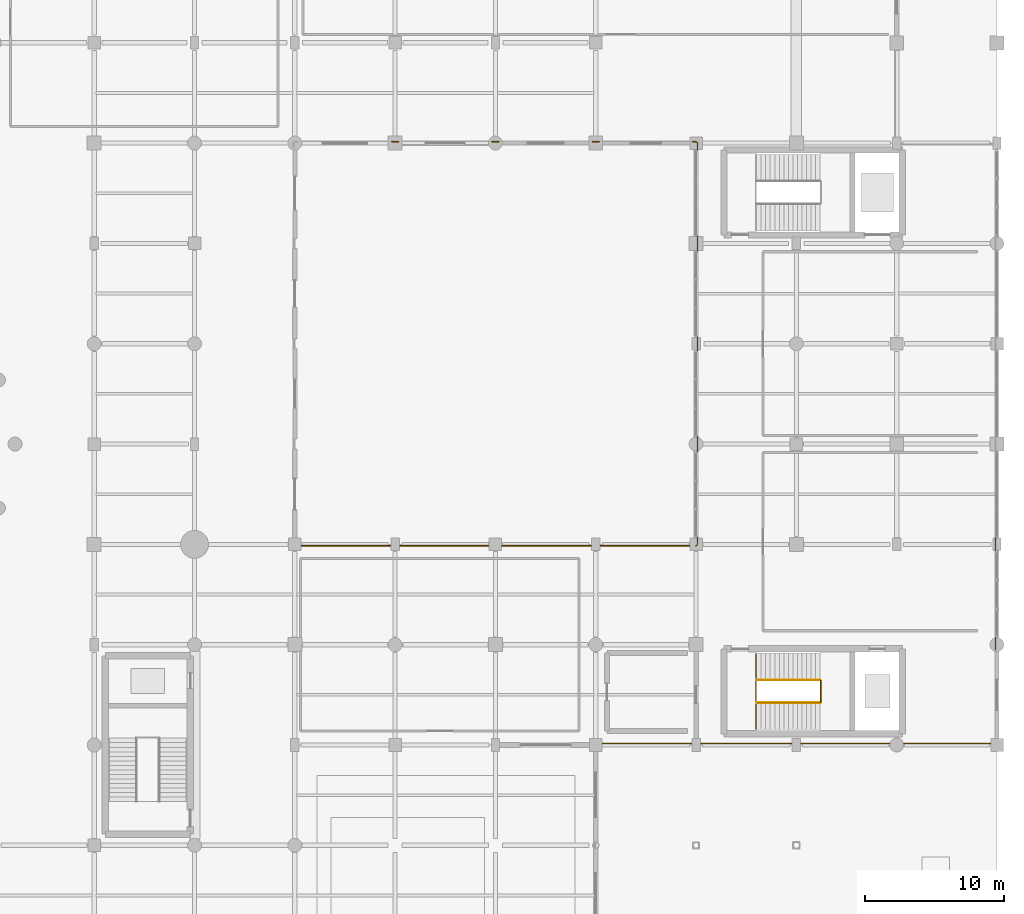
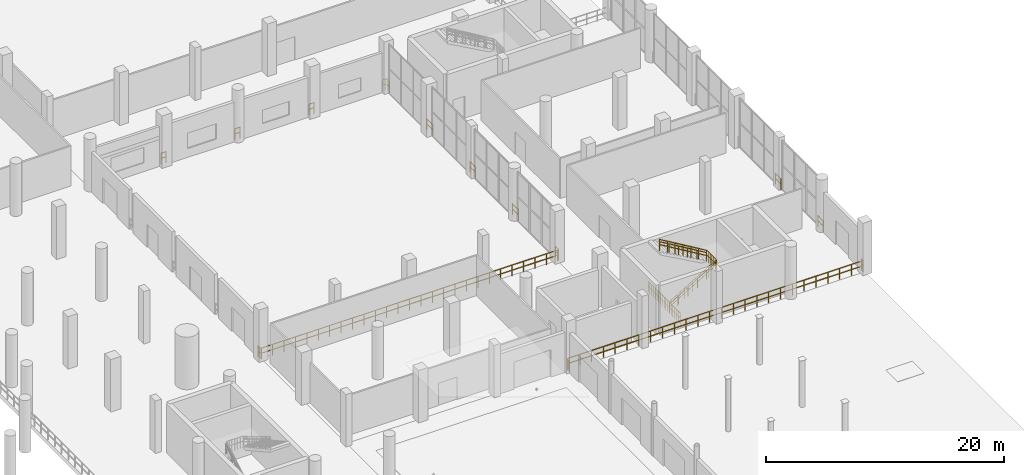
# One storey, part 54 of 58: 18 railings.
"""IFC4 building model written with IfcOpenShell, lengths in metres."""

import ifcopenshell
import ifcopenshell.guid

model = None  # the IFC model being written
_history = None  # IfcOwnerHistory: only IFC2X3 demands one
_inside = {}  # id of a spatial element -> (the spatial element, [elements in it])
_under = {}  # id of a project, library or spatial element -> (it, [spatial elements below it])
_declared = {}  # id of a project -> (the project, [libraries it declares])
_typed = {}  # id of a type object -> (the type object, [elements of that type])
_made_of = {}  # id of a material, layer set ... -> (it, [elements and type objects made of it])


def new_model(schema):
    """Start an empty IFC model of exactly this schema.

    Asked for "IFC4X3", IfcOpenShell would pick the latest addendum, in which some entities
    have other attributes; the version numbers below select the first issue.
    IFC2X3 requires an IfcOwnerHistory on every rooted entity: one is made here for all.
    """
    global model, _history
    if schema == "IFC4X3":
        model = ifcopenshell.file(schema_version=(4, 3, 0, 0))
    else:
        model = ifcopenshell.file(schema=schema)
    _inside.clear()
    _under.clear()
    _declared.clear()
    _typed.clear()
    _made_of.clear()
    _history = None
    if model.schema == "IFC2X3":
        org = make("IfcOrganization", Name="unknown")
        user = make(
            "IfcPersonAndOrganization",
            ThePerson=make("IfcPerson", FamilyName="unknown"),
            TheOrganization=org,
        )
        app = make(
            "IfcApplication",
            ApplicationDeveloper=org,
            Version="unknown",
            ApplicationFullName="unknown",
            ApplicationIdentifier="unknown",
        )
        _history = make(
            "IfcOwnerHistory",
            OwningUser=user,
            OwningApplication=app,
            ChangeAction="ADDED",
            CreationDate=0,
        )
    return model


def make(cls, **values):
    """One entity of the class cls with the attributes given. An attribute that is None is left unset."""
    return model.create_entity(
        cls, **{name: value for name, value in values.items() if value is not None}
    )


def rooted(cls, **values):
    """An entity with a GlobalId (a new one), such as an element, a storey or a relation."""
    return make(cls, GlobalId=ifcopenshell.guid.new(), OwnerHistory=_history, **values)


def si_unit(unit_type, name, prefix=None):
    """IfcSIUnit, for example si_unit("LENGTHUNIT", "METRE", prefix="MILLI")."""
    return make("IfcSIUnit", UnitType=unit_type, Prefix=prefix, Name=name)


def assignment(units):
    """IfcUnitAssignment: the units of a project."""
    return None if units is None else make("IfcUnitAssignment", Units=units)


def point(xyz):
    """IfcCartesianPoint."""
    return None if xyz is None else make("IfcCartesianPoint", Coordinates=xyz)


def direction(xyz):
    """IfcDirection."""
    return None if xyz is None else make("IfcDirection", DirectionRatios=xyz)


def frame(location, z_axis=None, x_axis=None):
    """IfcAxis2Placement3D, a coordinate frame: its origin and axes. An axis left out is left unset."""
    return make(
        "IfcAxis2Placement3D",
        Location=point(location),
        Axis=direction(z_axis),
        RefDirection=direction(x_axis),
    )


def frame_2d(location, x_axis=None):
    """IfcAxis2Placement2D, a coordinate frame in the plane: its origin and x axis."""
    return make(
        "IfcAxis2Placement2D", Location=point(location), RefDirection=direction(x_axis)
    )


def origin():
    """The frame at (0, 0, 0) with its axes left unset."""
    return frame((0.0, 0.0, 0.0))


def origin_2d():
    """The frame at (0, 0) in the plane with its x axis left unset."""
    return frame_2d((0.0, 0.0))


def place(relative_to, where):
    """IfcLocalPlacement: puts the frame where relative to a parent placement (None: the world)."""
    return make(
        "IfcLocalPlacement", PlacementRelTo=relative_to, RelativePlacement=where
    )


def context(
    kind, dimensions, precision=None, world=None, true_north=None, identifier=None
):
    """IfcGeometricRepresentationContext, for example the 3D "Model" context."""
    return make(
        "IfcGeometricRepresentationContext",
        ContextIdentifier=identifier,
        ContextType=kind,
        CoordinateSpaceDimension=dimensions,
        Precision=precision,
        WorldCoordinateSystem=world,
        TrueNorth=true_north,
    )


def subcontext(parent, identifier, kind, view, scale=None):
    """IfcGeometricRepresentationSubContext, for example "Body" below "Model"."""
    return make(
        "IfcGeometricRepresentationSubContext",
        ContextIdentifier=identifier,
        ContextType=kind,
        ParentContext=parent,
        TargetScale=scale,
        TargetView=view,
    )


def project(units=None, contexts=None):
    """IfcProject with its units and contexts."""
    return rooted(
        "IfcProject",
        Name="project",
        RepresentationContexts=contexts,
        UnitsInContext=assignment(units),
    )


def spatial(cls, under=None, at=None, **own):
    """A site, building, storey or space (cls), placed at a placement, below another one or the project."""
    s = rooted(cls, ObjectPlacement=at, **own)
    if under is not None:
        _under.setdefault(under.id(), (under, []))[1].append(s)
    return s


def profile(cls, at=None, kind="AREA", **sizes):
    """A parametric profile (cls). Its sizes go by their IFC names, for example OverallWidth=200.0."""
    return make(cls, ProfileType=kind, Position=at, **sizes)


def circle(**sizes):
    """IfcCircleProfileDef."""
    return profile("IfcCircleProfileDef", **sizes)


def extrude(swept, where, along, depth):
    """IfcExtrudedAreaSolid: the profile swept, set in the frame where, extruded along a direction by depth."""
    return make(
        "IfcExtrudedAreaSolid",
        SweptArea=swept,
        Position=where,
        ExtrudedDirection=direction(along),
        Depth=depth,
    )


def shape(context_of_items, identifier, shape_type, items):
    """IfcShapeRepresentation: the items that make up one representation, for example the "Body"."""
    return make(
        "IfcShapeRepresentation",
        ContextOfItems=context_of_items,
        RepresentationIdentifier=identifier,
        RepresentationType=shape_type,
        Items=items,
    )


def material(Name=None, Category=None):
    """IfcMaterial."""
    return make("IfcMaterial", Name=Name, Category=Category)


def made_of(thing, what):
    """Note that an element or type object is made of a material, layer set ...; save() writes the relation."""
    if what is not None:
        _made_of.setdefault(what.id(), (what, []))[1].append(thing)
    return thing


def type_object(cls, material=None, **own):
    """A type object (cls), such as IfcWallType, which elements share."""
    return made_of(rooted(cls, **own), material)


def element(
    cls,
    number,
    at=None,
    inside=None,
    cuts=None,
    type_object=None,
    material=None,
    context=None,
    identifier="Body",
    shape_type=None,
    held_by="IfcProductDefinitionShape",
    body=None,
    shapes=None,
    **own,
):
    """One element of the class cls, such as IfcWall. Its Tag is "e" and its number.

    at: its placement. inside: the storey or other place that contains it. cuts: it is an
    opening in that element (IfcRelVoidsElement). A single representation is given by context,
    identifier, shape_type and body (its items); several are given by shapes. held_by: the class
    of the entity that holds the representations. save() writes the other relations.
    """
    e = rooted(cls, Tag="e%d" % number, ObjectPlacement=at, **own)
    if body is not None:
        shapes = [shape(context, identifier, shape_type, body)]
    if shapes is not None:
        e.Representation = make(held_by, Representations=shapes)
    if inside is not None:
        _inside.setdefault(inside.id(), (inside, []))[1].append(e)
    if cuts is not None:
        rooted(
            "IfcRelVoidsElement", RelatingBuildingElement=cuts, RelatedOpeningElement=e
        )
    if type_object is not None:
        _typed.setdefault(type_object.id(), (type_object, []))[1].append(e)
    return made_of(e, material)


def aggregate(whole, parts):
    """IfcRelAggregates: a whole, such as a stair, and the parts it consists of."""
    return rooted("IfcRelAggregates", RelatingObject=whole, RelatedObjects=parts)


def save(model, path):
    """Write the relations noted so far, then the file.

    IfcRelAggregates (storeys below a building ...), IfcRelContainedInSpatialStructure (elements
    in a storey), IfcRelDefinesByType, IfcRelAssociatesMaterial and IfcRelDeclares: one each for
    every whole, place, type object, material and project.
    """
    for whole, parts in _under.values():
        aggregate(whole, parts)
    for where, things in _inside.values():
        rooted(
            "IfcRelContainedInSpatialStructure",
            RelatedElements=things,
            RelatingStructure=where,
        )
    for kind, things in _typed.values():
        rooted("IfcRelDefinesByType", RelatedObjects=things, RelatingType=kind)
    for what, things in _made_of.values():
        rooted("IfcRelAssociatesMaterial", RelatedObjects=things, RelatingMaterial=what)
    for by, libraries in _declared.values():
        rooted("IfcRelDeclares", RelatingContext=by, RelatedDefinitions=libraries)
    model.write(path)


model = new_model("IFC4")

# Units and contexts
model_context = context("Model", 3, precision=1e-05, world=origin(), true_north=direction((0.0, 1.0)))
body_context = subcontext(model_context, "Body", "Model", "MODEL_VIEW")
ifc_project = project(units=[si_unit("LENGTHUNIT", "METRE"), si_unit("AREAUNIT", "SQUARE_METRE"), si_unit("VOLUMEUNIT", "CUBIC_METRE"), si_unit("PLANEANGLEUNIT", "RADIAN"), si_unit("MASSUNIT", "GRAM", prefix="KILO")], contexts=[model_context])

# Site, building, storey
site_placement = place(None, origin())
site = spatial("IfcSite", under=ifc_project, at=site_placement, CompositionType="ELEMENT")
building_placement = place(site_placement, origin())
building = spatial("IfcBuilding", under=site, at=building_placement, Name="Qandorah Velis Arena", CompositionType="ELEMENT")
storey_placement = place(building_placement, origin())
storey = spatial("IfcBuildingStorey", under=building, at=storey_placement, Name="L00", CompositionType="ELEMENT", Elevation=0.0)

# Railings
ifc_material = material(Name="Stainless steel 316", Category="steel")
railing_type_1 = type_object("IfcRailingType", Name="ARC-RL-GRD1150", PredefinedType="GUARDRAIL", material=ifc_material)
railing_1_placement = place(storey_placement, frame((155.510009765625, 44.360107421875, 0.0)))
element("IfcRailing", 1, at=railing_1_placement, inside=storey, type_object=railing_type_1, Name="Stair ST7 landing well-slot guardrail L00", PredefinedType="GUARDRAIL", context=body_context, shape_type="SweptSolid", body=[
    extrude(circle(Radius=0.02392578125, at=origin_2d()), frame((0.0, 0.0, 1.1259765625), z_axis=(0.0, 1.0, 0.0), x_axis=(-1.0, 0.0, 0.0)), (0.0, 0.0, 1.0), 5.3798828125),
    extrude(circle(Radius=0.02392578125, at=origin_2d()), frame((0.0, 0.0, 0.597900390625), z_axis=(0.0, 1.0, 0.0), x_axis=(-1.0, 0.0, 0.0)), (0.0, 0.0, 1.0), 5.3798828125),
    extrude(circle(Radius=0.02099609375, at=origin_2d()), origin(), (0.0, 0.0, 1.0), 1.101806640625),
    extrude(circle(Radius=0.02099609375, at=origin_2d()), frame((0.0, 0.298828125, 0.0)), (0.0, 0.0, 1.0), 1.101806640625),
    extrude(circle(Radius=0.02099609375, at=origin_2d()), frame((0.0, 0.59765625, 0.0)), (0.0, 0.0, 1.0), 1.101806640625),
    extrude(circle(Radius=0.02099609375, at=origin_2d()), frame((0.0, 0.896728515625, 0.0)), (0.0, 0.0, 1.0), 1.101806640625),
    extrude(circle(Radius=0.02099609375, at=origin_2d()), frame((0.0, 1.195556640625, 0.0)), (0.0, 0.0, 1.0), 1.101806640625),
    extrude(circle(Radius=0.02099609375, at=origin_2d()), frame((0.0, 1.494384765625, 0.0)), (0.0, 0.0, 1.0), 1.101806640625),
    extrude(circle(Radius=0.02099609375, at=origin_2d()), frame((0.0, 1.793212890625, 0.0)), (0.0, 0.0, 1.0), 1.101806640625),
    extrude(circle(Radius=0.02099609375, at=origin_2d()), frame((0.0, 2.09228515625, 0.0)), (0.0, 0.0, 1.0), 1.101806640625),
    extrude(circle(Radius=0.02099609375, at=origin_2d()), frame((0.0, 2.39111328125, 0.0)), (0.0, 0.0, 1.0), 1.101806640625),
    extrude(circle(Radius=0.02099609375, at=origin_2d()), frame((0.0, 2.68994140625, 0.0)), (0.0, 0.0, 1.0), 1.101806640625),
    extrude(circle(Radius=0.02099609375, at=origin_2d()), frame((0.0, 2.98876953125, 0.0)), (0.0, 0.0, 1.0), 1.101806640625),
    extrude(circle(Radius=0.02099609375, at=origin_2d()), frame((0.0, 3.28759765625, 0.0)), (0.0, 0.0, 1.0), 1.101806640625),
    extrude(circle(Radius=0.02099609375, at=origin_2d()), frame((0.0, 3.586669921875, 0.0)), (0.0, 0.0, 1.0), 1.101806640625),
    extrude(circle(Radius=0.02099609375, at=origin_2d()), frame((0.0, 3.885498046875, 0.0)), (0.0, 0.0, 1.0), 1.101806640625),
    extrude(circle(Radius=0.02099609375, at=origin_2d()), frame((0.0, 4.184326171875, 0.0)), (0.0, 0.0, 1.0), 1.101806640625),
    extrude(circle(Radius=0.02099609375, at=origin_2d()), frame((0.0, 4.483154296875, 0.0)), (0.0, 0.0, 1.0), 1.101806640625),
    extrude(circle(Radius=0.02099609375, at=origin_2d()), frame((0.0, 4.7822265625, 0.0)), (0.0, 0.0, 1.0), 1.101806640625),
    extrude(circle(Radius=0.02099609375, at=origin_2d()), frame((0.0, 5.0810546875, 0.0)), (0.0, 0.0, 1.0), 1.101806640625),
    extrude(circle(Radius=0.02099609375, at=origin_2d()), frame((0.0, 5.3798828125, 0.0)), (0.0, 0.0, 1.0), 1.101806640625),
])
railing_2_placement = place(storey_placement, frame((160.14599609375, 46.239990234375, 2.699951171875)))
element("IfcRailing", 2, at=railing_2_placement, inside=storey, type_object=railing_type_1, Name="Stair ST7 well guardrail (L00)", PredefinedType="GUARDRAIL", context=body_context, shape_type="SweptSolid", body=[
    extrude(circle(Radius=0.02392578125, at=origin_2d()), frame((0.0, 0.0, 1.1259765625), z_axis=(0.0, 1.0, 0.0), x_axis=(-1.0, 0.0, 0.0)), (0.0, 0.0, 1.0), 1.6201171875),
    extrude(circle(Radius=0.02392578125, at=origin_2d()), frame((0.0, 0.0, 0.597900390625), z_axis=(0.0, 1.0, 0.0), x_axis=(-1.0, 0.0, 0.0)), (0.0, 0.0, 1.0), 1.6201171875),
    extrude(circle(Radius=0.02099609375, at=origin_2d()), origin(), (0.0, 0.0, 1.0), 1.101806640625),
    extrude(circle(Radius=0.02099609375, at=origin_2d()), frame((0.0, 0.27001953125, 0.0)), (0.0, 0.0, 1.0), 1.101806640625),
    extrude(circle(Radius=0.02099609375, at=origin_2d()), frame((0.0, 0.5400390625, 0.0)), (0.0, 0.0, 1.0), 1.101806640625),
    extrude(circle(Radius=0.02099609375, at=origin_2d()), frame((0.0, 0.81005859375, 0.0)), (0.0, 0.0, 1.0), 1.101806640625),
    extrude(circle(Radius=0.02099609375, at=origin_2d()), frame((0.0, 1.080078125, 0.0)), (0.0, 0.0, 1.0), 1.101806640625),
    extrude(circle(Radius=0.02099609375, at=origin_2d()), frame((0.0, 1.35009765625, 0.0)), (0.0, 0.0, 1.0), 1.101806640625),
    extrude(circle(Radius=0.02099609375, at=origin_2d()), frame((0.0, 1.6201171875, 0.0)), (0.0, 0.0, 1.0), 1.101806640625),
])
railing_3_placement = place(storey_placement, frame((155.550048828125, 46.22998046875, 0.0)))
element("IfcRailing", 3, at=railing_3_placement, inside=storey, type_object=railing_type_1, Name="Stair ST7 inner flight 1 guardrail (L00)", PredefinedType="GUARDRAIL", context=body_context, shape_type="SweptSolid", body=[
    extrude(circle(Radius=0.02392578125, at=origin_2d()), frame((0.0, 0.0, 1.1259765625), z_axis=(0.859291432417, 0.0, 0.511486299107), x_axis=(0.0, 1.0, 0.0)), (0.0, 0.0, 1.0), 5.278564453125),
    extrude(circle(Radius=0.02392578125, at=origin_2d()), frame((0.0, 0.0, 0.597900390625), z_axis=(0.859291432417, 0.0, 0.511486299107), x_axis=(0.0, 1.0, 0.0)), (0.0, 0.0, 1.0), 5.278564453125),
    extrude(circle(Radius=0.02099609375, at=origin_2d()), origin(), (0.0, 0.0, 1.0), 1.101806640625),
    extrude(circle(Radius=0.02099609375, at=origin_2d()), frame((0.755859375, 0.0, 0.449951171875)), (0.0, 0.0, 1.0), 1.101806640625),
    extrude(circle(Radius=0.02099609375, at=origin_2d()), frame((1.511962890625, 0.0, 0.89990234375)), (0.0, 0.0, 1.0), 1.101806640625),
    extrude(circle(Radius=0.02099609375, at=origin_2d()), frame((2.26806640625, 0.0, 1.35009765625)), (0.0, 0.0, 1.0), 1.101806640625),
    extrude(circle(Radius=0.02099609375, at=origin_2d()), frame((3.02392578125, 0.0, 1.800048828125)), (0.0, 0.0, 1.0), 1.101806640625),
    extrude(circle(Radius=0.02099609375, at=origin_2d()), frame((3.77978515625, 0.0, 2.25)), (0.0, 0.0, 1.0), 1.101806640625),
    extrude(circle(Radius=0.02099609375, at=origin_2d()), frame((4.535888671875, 0.0, 2.699951171875)), (0.0, 0.0, 1.0), 1.101806640625),
])
railing_4_placement = place(storey_placement, frame((160.0859375, 47.8701171875, 2.699951171875)))
element("IfcRailing", 4, at=railing_4_placement, inside=storey, type_object=railing_type_1, Name="Stair ST7 inner flight 2 guardrail (L00)", PredefinedType="GUARDRAIL", context=body_context, shape_type="SweptSolid", body=[
    extrude(circle(Radius=0.02392578125, at=origin_2d()), frame((0.0, 0.0, 1.1259765625), z_axis=(-0.859291432417, 0.0, 0.511486299107), x_axis=(0.0, -1.0, 0.0)), (0.0, 0.0, 1.0), 5.278564453125),
    extrude(circle(Radius=0.02392578125, at=origin_2d()), frame((0.0, 0.0, 0.597900390625), z_axis=(-0.859291432417, 0.0, 0.511486299107), x_axis=(0.0, -1.0, 0.0)), (0.0, 0.0, 1.0), 5.278564453125),
    extrude(circle(Radius=0.02099609375, at=origin_2d()), origin(), (0.0, 0.0, 1.0), 1.101806640625),
    extrude(circle(Radius=0.02099609375, at=origin_2d()), frame((-0.755859375, 0.0, 0.449951171875)), (0.0, 0.0, 1.0), 1.101806640625),
    extrude(circle(Radius=0.02099609375, at=origin_2d()), frame((-1.511962890625, 0.0, 0.89990234375)), (0.0, 0.0, 1.0), 1.101806640625),
    extrude(circle(Radius=0.02099609375, at=origin_2d()), frame((-2.26806640625, 0.0, 1.35009765625)), (0.0, 0.0, 1.0), 1.101806640625),
    extrude(circle(Radius=0.02099609375, at=origin_2d()), frame((-3.02392578125, 0.0, 1.800048828125)), (0.0, 0.0, 1.0), 1.101806640625),
    extrude(circle(Radius=0.02099609375, at=origin_2d()), frame((-3.77978515625, 0.0, 2.25)), (0.0, 0.0, 1.0), 1.101806640625),
    extrude(circle(Radius=0.02099609375, at=origin_2d()), frame((-4.535888671875, 0.0, 2.699951171875)), (0.0, 0.0, 1.0), 1.101806640625),
])
railing_5_placement = place(storey_placement, frame((172.699951171875, 58.074951171875, 0.0)))
element("IfcRailing", 5, at=railing_5_placement, inside=storey, type_object=railing_type_1, Name="Slab edge safety guardrail L00-058", PredefinedType="GUARDRAIL", context=body_context, shape_type="SweptSolid", body=[
    extrude(circle(Radius=0.02392578125, at=origin_2d()), frame((0.0, 0.0, 1.1259765625), z_axis=(0.0, -1.0, 0.0), x_axis=(1.0, 0.0, 0.0)), (0.0, 0.0, 1.0), 0.949951171875),
    extrude(circle(Radius=0.02392578125, at=origin_2d()), frame((0.0, 0.0, 0.597900390625), z_axis=(0.0, -1.0, 0.0), x_axis=(1.0, 0.0, 0.0)), (0.0, 0.0, 1.0), 0.949951171875),
    extrude(circle(Radius=0.02099609375, at=origin_2d()), origin(), (0.0, 0.0, 1.0), 1.101806640625),
    extrude(circle(Radius=0.02099609375, at=origin_2d()), frame((0.0, -0.949951171875, 0.0)), (0.0, 0.0, 1.0), 1.101806640625),
])
railing_6_placement = place(storey_placement, frame((172.699951171875, 50.925048828125, 0.0)))
element("IfcRailing", 6, at=railing_6_placement, inside=storey, type_object=railing_type_1, Name="Slab edge safety guardrail L00-059", PredefinedType="GUARDRAIL", context=body_context, shape_type="SweptSolid", body=[
    extrude(circle(Radius=0.02392578125, at=origin_2d()), frame((0.0, 0.0, 1.1259765625), z_axis=(0.0, -1.0, 0.0), x_axis=(1.0, 0.0, 0.0)), (0.0, 0.0, 1.0), 0.875),
    extrude(circle(Radius=0.02392578125, at=origin_2d()), frame((0.0, 0.0, 0.597900390625), z_axis=(0.0, -1.0, 0.0), x_axis=(1.0, 0.0, 0.0)), (0.0, 0.0, 1.0), 0.875),
    extrude(circle(Radius=0.02099609375, at=origin_2d()), origin(), (0.0, 0.0, 1.0), 1.101806640625),
    extrude(circle(Radius=0.02099609375, at=origin_2d()), frame((0.0, -0.875, 0.0)), (0.0, 0.0, 1.0), 1.101806640625),
])
railing_7_placement = place(storey_placement, frame((172.699951171875, 43.550048828125, 0.0)))
element("IfcRailing", 7, at=railing_7_placement, inside=storey, type_object=railing_type_1, Name="Slab edge safety guardrail L00-060", PredefinedType="GUARDRAIL", context=body_context, shape_type="SweptSolid", body=[
    extrude(circle(Radius=0.02392578125, at=origin_2d()), frame((0.0, 0.0, 1.1259765625), z_axis=(0.0, -1.0, 0.0), x_axis=(1.0, 0.0, 0.0)), (0.0, 0.0, 1.0), 0.25),
    extrude(circle(Radius=0.02392578125, at=origin_2d()), frame((0.0, 0.0, 0.597900390625), z_axis=(0.0, -1.0, 0.0), x_axis=(1.0, 0.0, 0.0)), (0.0, 0.0, 1.0), 0.25),
    extrude(circle(Radius=0.02392578125, at=origin_2d()), frame((0.0, -0.25, 1.1259765625), z_axis=(-1.0, 0.0, 0.0), x_axis=(0.0, -1.0, 0.0)), (0.0, 0.0, 1.0), 28.699951171875),
    extrude(circle(Radius=0.02392578125, at=origin_2d()), frame((0.0, -0.25, 0.597900390625), z_axis=(-1.0, 0.0, 0.0), x_axis=(0.0, -1.0, 0.0)), (0.0, 0.0, 1.0), 28.699951171875),
    extrude(circle(Radius=0.02392578125, at=origin_2d()), frame((-28.699951171875, -0.25, 1.1259765625), z_axis=(-0.772928297309, -0.634493378388, 0.0), x_axis=(0.634493378388, -0.772928297309, 0.0)), (0.0, 0.0, 1.0), 0.126953125),
    extrude(circle(Radius=0.02392578125, at=origin_2d()), frame((-28.699951171875, -0.25, 0.597900390625), z_axis=(-0.772928297309, -0.634493378388, 0.0), x_axis=(0.634493378388, -0.772928297309, 0.0)), (0.0, 0.0, 1.0), 0.126953125),
    extrude(circle(Radius=0.02392578125, at=origin_2d()), frame((-28.798095703125, -0.33056640625, 1.1259765625), z_axis=(-0.008154672784, -0.999966750103, 0.0), x_axis=(0.999966750103, -0.008154672784, 0.0)), (0.0, 0.0, 1.0), 0.239501953125),
    extrude(circle(Radius=0.02392578125, at=origin_2d()), frame((-28.798095703125, -0.33056640625, 0.597900390625), z_axis=(-0.008154672784, -0.999966750103, 0.0), x_axis=(0.999966750103, -0.008154672784, 0.0)), (0.0, 0.0, 1.0), 0.239501953125),
    extrude(circle(Radius=0.02099609375, at=origin_2d()), origin(), (0.0, 0.0, 1.0), 1.101806640625),
    extrude(circle(Radius=0.02099609375, at=origin_2d()), frame((0.0, -0.25, 0.0)), (0.0, 0.0, 1.0), 1.101806640625),
    extrude(circle(Radius=0.02099609375, at=origin_2d()), frame((-1.14794921875, -0.25, 0.0)), (0.0, 0.0, 1.0), 1.101806640625),
    extrude(circle(Radius=0.02099609375, at=origin_2d()), frame((-2.2958984375, -0.25, 0.0)), (0.0, 0.0, 1.0), 1.101806640625),
    extrude(circle(Radius=0.02099609375, at=origin_2d()), frame((-3.444091796875, -0.25, 0.0)), (0.0, 0.0, 1.0), 1.101806640625),
    extrude(circle(Radius=0.02099609375, at=origin_2d()), frame((-4.592041015625, -0.25, 0.0)), (0.0, 0.0, 1.0), 1.101806640625),
    extrude(circle(Radius=0.02099609375, at=origin_2d()), frame((-5.739990234375, -0.25, 0.0)), (0.0, 0.0, 1.0), 1.101806640625),
    extrude(circle(Radius=0.02099609375, at=origin_2d()), frame((-6.887939453125, -0.25, 0.0)), (0.0, 0.0, 1.0), 1.101806640625),
    extrude(circle(Radius=0.02099609375, at=origin_2d()), frame((-8.035888671875, -0.25, 0.0)), (0.0, 0.0, 1.0), 1.101806640625),
    extrude(circle(Radius=0.02099609375, at=origin_2d()), frame((-9.18408203125, -0.25, 0.0)), (0.0, 0.0, 1.0), 1.101806640625),
    extrude(circle(Radius=0.02099609375, at=origin_2d()), frame((-10.33203125, -0.25, 0.0)), (0.0, 0.0, 1.0), 1.101806640625),
    extrude(circle(Radius=0.02099609375, at=origin_2d()), frame((-11.47998046875, -0.25, 0.0)), (0.0, 0.0, 1.0), 1.101806640625),
    extrude(circle(Radius=0.02099609375, at=origin_2d()), frame((-12.6279296875, -0.25, 0.0)), (0.0, 0.0, 1.0), 1.101806640625),
    extrude(circle(Radius=0.02099609375, at=origin_2d()), frame((-13.77587890625, -0.25, 0.0)), (0.0, 0.0, 1.0), 1.101806640625),
    extrude(circle(Radius=0.02099609375, at=origin_2d()), frame((-14.924072265625, -0.25, 0.0)), (0.0, 0.0, 1.0), 1.101806640625),
    extrude(circle(Radius=0.02099609375, at=origin_2d()), frame((-16.072021484375, -0.25, 0.0)), (0.0, 0.0, 1.0), 1.101806640625),
    extrude(circle(Radius=0.02099609375, at=origin_2d()), frame((-17.219970703125, -0.25, 0.0)), (0.0, 0.0, 1.0), 1.101806640625),
    extrude(circle(Radius=0.02099609375, at=origin_2d()), frame((-18.367919921875, -0.25, 0.0)), (0.0, 0.0, 1.0), 1.101806640625),
    extrude(circle(Radius=0.02099609375, at=origin_2d()), frame((-19.515869140625, -0.25, 0.0)), (0.0, 0.0, 1.0), 1.101806640625),
    extrude(circle(Radius=0.02099609375, at=origin_2d()), frame((-20.6640625, -0.25, 0.0)), (0.0, 0.0, 1.0), 1.101806640625),
    extrude(circle(Radius=0.02099609375, at=origin_2d()), frame((-21.81201171875, -0.25, 0.0)), (0.0, 0.0, 1.0), 1.101806640625),
    extrude(circle(Radius=0.02099609375, at=origin_2d()), frame((-22.9599609375, -0.25, 0.0)), (0.0, 0.0, 1.0), 1.101806640625),
    extrude(circle(Radius=0.02099609375, at=origin_2d()), frame((-24.10791015625, -0.25, 0.0)), (0.0, 0.0, 1.0), 1.101806640625),
    extrude(circle(Radius=0.02099609375, at=origin_2d()), frame((-25.255859375, -0.25, 0.0)), (0.0, 0.0, 1.0), 1.101806640625),
    extrude(circle(Radius=0.02099609375, at=origin_2d()), frame((-26.404052734375, -0.25, 0.0)), (0.0, 0.0, 1.0), 1.101806640625),
    extrude(circle(Radius=0.02099609375, at=origin_2d()), frame((-27.552001953125, -0.25, 0.0)), (0.0, 0.0, 1.0), 1.101806640625),
    extrude(circle(Radius=0.02099609375, at=origin_2d()), frame((-28.699951171875, -0.25, 0.0)), (0.0, 0.0, 1.0), 1.101806640625),
    extrude(circle(Radius=0.02099609375, at=origin_2d()), frame((-28.798095703125, -0.33056640625, 0.0)), (0.0, 0.0, 1.0), 1.101806640625),
    extrude(circle(Radius=0.02099609375, at=origin_2d()), frame((-28.800048828125, -0.570068359375, 0.0)), (0.0, 0.0, 1.0), 1.101806640625),
])
railing_8_placement = place(storey_placement, frame((151.199951171875, 57.5, 0.0)))
element("IfcRailing", 8, at=railing_8_placement, inside=storey, type_object=railing_type_1, Name="Slab edge safety guardrail L00-069", PredefinedType="GUARDRAIL", context=body_context, shape_type="SweptSolid", body=[
    extrude(circle(Radius=0.02392578125, at=origin_2d()), frame((0.0, 0.0, 1.1259765625), z_axis=(0.772928297309, 0.634493378388, 0.0), x_axis=(-0.634493378388, 0.772928297309, 0.0)), (0.0, 0.0, 1.0), 0.126953125),
    extrude(circle(Radius=0.02392578125, at=origin_2d()), frame((0.0, 0.0, 0.597900390625), z_axis=(0.772928297309, 0.634493378388, 0.0), x_axis=(-0.634493378388, 0.772928297309, 0.0)), (0.0, 0.0, 1.0), 0.126953125),
    extrude(circle(Radius=0.02392578125, at=origin_2d()), frame((0.09814453125, 0.08056640625, 1.1259765625), z_axis=(0.003950586455, 0.999992196403, 0.0), x_axis=(-0.999992196403, 0.003950586455, 0.0)), (0.0, 0.0, 1.0), 0.494384765625),
    extrude(circle(Radius=0.02392578125, at=origin_2d()), frame((0.09814453125, 0.08056640625, 0.597900390625), z_axis=(0.003950586455, 0.999992196403, 0.0), x_axis=(-0.999992196403, 0.003950586455, 0.0)), (0.0, 0.0, 1.0), 0.494384765625),
    extrude(circle(Radius=0.02099609375, at=origin_2d()), origin(), (0.0, 0.0, 1.0), 1.101806640625),
    extrude(circle(Radius=0.02099609375, at=origin_2d()), frame((0.09814453125, 0.08056640625, 0.0)), (0.0, 0.0, 1.0), 1.101806640625),
    extrude(circle(Radius=0.02099609375, at=origin_2d()), frame((0.10009765625, 0.574951171875, 0.0)), (0.0, 0.0, 1.0), 1.101806640625),
])
railing_9_placement = place(storey_placement, frame((151.300048828125, 64.27490234375, 0.0)))
element("IfcRailing", 9, at=railing_9_placement, inside=storey, type_object=railing_type_1, Name="Slab edge safety guardrail L00-070", PredefinedType="GUARDRAIL", context=body_context, shape_type="SweptSolid", body=[
    extrude(circle(Radius=0.02392578125, at=origin_2d()), frame((0.0, 0.0, 1.1259765625), z_axis=(0.0, 1.0, 0.0), x_axis=(-1.0, 0.0, 0.0)), (0.0, 0.0, 1.0), 1.050048828125),
    extrude(circle(Radius=0.02392578125, at=origin_2d()), frame((0.0, 0.0, 0.597900390625), z_axis=(0.0, 1.0, 0.0), x_axis=(-1.0, 0.0, 0.0)), (0.0, 0.0, 1.0), 1.050048828125),
    extrude(circle(Radius=0.02099609375, at=origin_2d()), origin(), (0.0, 0.0, 1.0), 1.101806640625),
    extrude(circle(Radius=0.02099609375, at=origin_2d()), frame((0.0, 1.050048828125, 0.0)), (0.0, 0.0, 1.0), 1.101806640625),
])
railing_10_placement = place(storey_placement, frame((151.300048828125, 71.52490234375, 0.0)))
element("IfcRailing", 10, at=railing_10_placement, inside=storey, type_object=railing_type_1, Name="Slab edge safety guardrail L00-071", PredefinedType="GUARDRAIL", context=body_context, shape_type="SweptSolid", body=[
    extrude(circle(Radius=0.02392578125, at=origin_2d()), frame((0.0, 0.0, 1.1259765625), z_axis=(0.0, 1.0, 0.0), x_axis=(-1.0, 0.0, 0.0)), (0.0, 0.0, 1.0), 0.9501953125),
    extrude(circle(Radius=0.02392578125, at=origin_2d()), frame((0.0, 0.0, 0.597900390625), z_axis=(0.0, 1.0, 0.0), x_axis=(-1.0, 0.0, 0.0)), (0.0, 0.0, 1.0), 0.9501953125),
    extrude(circle(Radius=0.02099609375, at=origin_2d()), origin(), (0.0, 0.0, 1.0), 1.101806640625),
    extrude(circle(Radius=0.02099609375, at=origin_2d()), frame((0.0, 0.9501953125, 0.0)), (0.0, 0.0, 1.0), 1.101806640625),
])
railing_11_placement = place(storey_placement, frame((151.300048828125, 78.675048828125, 0.0)))
element("IfcRailing", 11, at=railing_11_placement, inside=storey, type_object=railing_type_1, Name="Slab edge safety guardrail L00-072", PredefinedType="GUARDRAIL", context=body_context, shape_type="SweptSolid", body=[
    extrude(circle(Radius=0.02392578125, at=origin_2d()), frame((0.0, 0.0, 1.1259765625), z_axis=(0.0, 1.0, 0.0), x_axis=(-1.0, 0.0, 0.0)), (0.0, 0.0, 1.0), 1.050048828125),
    extrude(circle(Radius=0.02392578125, at=origin_2d()), frame((0.0, 0.0, 0.597900390625), z_axis=(0.0, 1.0, 0.0), x_axis=(-1.0, 0.0, 0.0)), (0.0, 0.0, 1.0), 1.050048828125),
    extrude(circle(Radius=0.02099609375, at=origin_2d()), origin(), (0.0, 0.0, 1.0), 1.101806640625),
    extrude(circle(Radius=0.02099609375, at=origin_2d()), frame((0.0, 1.050048828125, 0.0)), (0.0, 0.0, 1.0), 1.101806640625),
])
railing_12_placement = place(storey_placement, frame((151.300048828125, 85.925048828125, 0.0)))
element("IfcRailing", 12, at=railing_12_placement, inside=storey, type_object=railing_type_1, Name="Slab edge safety guardrail L00-073", PredefinedType="GUARDRAIL", context=body_context, shape_type="SweptSolid", body=[
    extrude(circle(Radius=0.02392578125, at=origin_2d()), frame((0.0, 0.0, 1.1259765625), z_axis=(0.0, 1.0, 0.0), x_axis=(-1.0, 0.0, 0.0)), (0.0, 0.0, 1.0), 0.474853515625),
    extrude(circle(Radius=0.02392578125, at=origin_2d()), frame((0.0, 0.0, 0.597900390625), z_axis=(0.0, 1.0, 0.0), x_axis=(-1.0, 0.0, 0.0)), (0.0, 0.0, 1.0), 0.474853515625),
    extrude(circle(Radius=0.02392578125, at=origin_2d()), frame((0.0, 0.474853515625, 1.1259765625), z_axis=(-0.634493378388, 0.772928297309, 0.0), x_axis=(-0.772928297309, -0.634493378388, 0.0)), (0.0, 0.0, 1.0), 0.126953125),
    extrude(circle(Radius=0.02392578125, at=origin_2d()), frame((0.0, 0.474853515625, 0.597900390625), z_axis=(-0.634493378388, 0.772928297309, 0.0), x_axis=(-0.772928297309, -0.634493378388, 0.0)), (0.0, 0.0, 1.0), 0.126953125),
    extrude(circle(Radius=0.02392578125, at=origin_2d()), frame((-0.08056640625, 0.572998046875, 1.1259765625), z_axis=(-0.999973746045, 0.007246186566, 0.0), x_axis=(-0.007246186566, -0.999973746045, 0.0)), (0.0, 0.0, 1.0), 0.26953125),
    extrude(circle(Radius=0.02392578125, at=origin_2d()), frame((-0.08056640625, 0.572998046875, 0.597900390625), z_axis=(-0.999973746045, 0.007246186566, 0.0), x_axis=(-0.007246186566, -0.999973746045, 0.0)), (0.0, 0.0, 1.0), 0.26953125),
    extrude(circle(Radius=0.02099609375, at=origin_2d()), origin(), (0.0, 0.0, 1.0), 1.101806640625),
    extrude(circle(Radius=0.02099609375, at=origin_2d()), frame((0.0, 0.474853515625, 0.0)), (0.0, 0.0, 1.0), 1.101806640625),
    extrude(circle(Radius=0.02099609375, at=origin_2d()), frame((-0.08056640625, 0.572998046875, 0.0)), (0.0, 0.0, 1.0), 1.101806640625),
    extrude(circle(Radius=0.02099609375, at=origin_2d()), frame((-0.35009765625, 0.574951171875, 0.0)), (0.0, 0.0, 1.0), 1.101806640625),
])
for number, where, name in (
    (13, (144.25, 86.5, 0.0), "Slab edge safety guardrail L00-074"),
    (14, (137.050048828125, 86.5, 0.0), "Slab edge safety guardrail L00-075"),
    (15, (129.85009765625, 86.5, 0.0), "Slab edge safety guardrail L00-076"),
):
    element("IfcRailing", number, at=place(storey_placement, frame(where)), inside=storey, type_object=railing_type_1, Name=name, PredefinedType="GUARDRAIL", context=body_context, shape_type="SweptSolid", body=[
        extrude(circle(Radius=0.02392578125, at=origin_2d()), frame((0.0, 0.0, 1.1259765625), z_axis=(-1.0, 0.0, 0.0), x_axis=(0.0, -1.0, 0.0)), (0.0, 0.0, 1.0), 0.5),
        extrude(circle(Radius=0.02392578125, at=origin_2d()), frame((0.0, 0.0, 0.597900390625), z_axis=(-1.0, 0.0, 0.0), x_axis=(0.0, -1.0, 0.0)), (0.0, 0.0, 1.0), 0.5),
        extrude(circle(Radius=0.02099609375, at=origin_2d()), origin(), (0.0, 0.0, 1.0), 1.101806640625),
        extrude(circle(Radius=0.02099609375, at=origin_2d()), frame((-0.5, 0.0, 0.0)), (0.0, 0.0, 1.0), 1.101806640625),
    ])
railing_13_placement = place(storey_placement, frame((122.300048828125, 57.949951171875, 0.0)))
element("IfcRailing", 16, at=railing_13_placement, inside=storey, type_object=railing_type_1, Name="Slab edge safety guardrail L00-081", PredefinedType="GUARDRAIL", context=body_context, shape_type="SweptSolid", body=[
    extrude(circle(Radius=0.02392578125, at=origin_2d()), frame((0.0, 0.0, 1.1259765625), z_axis=(0.0, -1.0, 0.0), x_axis=(1.0, 0.0, 0.0)), (0.0, 0.0, 1.0), 0.349853515625),
    extrude(circle(Radius=0.02392578125, at=origin_2d()), frame((0.0, 0.0, 0.597900390625), z_axis=(0.0, -1.0, 0.0), x_axis=(1.0, 0.0, 0.0)), (0.0, 0.0, 1.0), 0.349853515625),
    extrude(circle(Radius=0.02392578125, at=origin_2d()), frame((0.0, -0.349853515625, 1.1259765625), z_axis=(0.634493378388, -0.772928297309, 0.0), x_axis=(0.772928297309, 0.634493378388, 0.0)), (0.0, 0.0, 1.0), 0.126953125),
    extrude(circle(Radius=0.02392578125, at=origin_2d()), frame((0.0, -0.349853515625, 0.597900390625), z_axis=(0.634493378388, -0.772928297309, 0.0), x_axis=(0.772928297309, 0.634493378388, 0.0)), (0.0, 0.0, 1.0), 0.126953125),
    extrude(circle(Radius=0.02392578125, at=origin_2d()), frame((0.08056640625, -0.447998046875, 1.1259765625), z_axis=(0.999999997704, -6.7771339e-05, 0.0), x_axis=(6.7771339e-05, 0.999999997704, 0.0)), (0.0, 0.0, 1.0), 28.8193359375),
    extrude(circle(Radius=0.02392578125, at=origin_2d()), frame((0.08056640625, -0.447998046875, 0.597900390625), z_axis=(0.999999997704, -6.7771339e-05, 0.0), x_axis=(6.7771339e-05, 0.999999997704, 0.0)), (0.0, 0.0, 1.0), 28.8193359375),
    extrude(circle(Radius=0.02099609375, at=origin_2d()), origin(), (0.0, 0.0, 1.0), 1.101806640625),
    extrude(circle(Radius=0.02099609375, at=origin_2d()), frame((0.0, -0.349853515625, 0.0)), (0.0, 0.0, 1.0), 1.101806640625),
    extrude(circle(Radius=0.02099609375, at=origin_2d()), frame((0.08056640625, -0.447998046875, 0.0)), (0.0, 0.0, 1.0), 1.101806640625),
    extrude(circle(Radius=0.02099609375, at=origin_2d()), frame((1.18896484375, -0.447998046875, 0.0)), (0.0, 0.0, 1.0), 1.101806640625),
    extrude(circle(Radius=0.02099609375, at=origin_2d()), frame((2.29736328125, -0.4482421875, 0.0)), (0.0, 0.0, 1.0), 1.101806640625),
    extrude(circle(Radius=0.02099609375, at=origin_2d()), frame((3.40576171875, -0.4482421875, 0.0)), (0.0, 0.0, 1.0), 1.101806640625),
    extrude(circle(Radius=0.02099609375, at=origin_2d()), frame((4.514404296875, -0.4482421875, 0.0)), (0.0, 0.0, 1.0), 1.101806640625),
    extrude(circle(Radius=0.02099609375, at=origin_2d()), frame((5.622802734375, -0.448486328125, 0.0)), (0.0, 0.0, 1.0), 1.101806640625),
    extrude(circle(Radius=0.02099609375, at=origin_2d()), frame((6.731201171875, -0.448486328125, 0.0)), (0.0, 0.0, 1.0), 1.101806640625),
    extrude(circle(Radius=0.02099609375, at=origin_2d()), frame((7.839599609375, -0.448486328125, 0.0)), (0.0, 0.0, 1.0), 1.101806640625),
    extrude(circle(Radius=0.02099609375, at=origin_2d()), frame((8.947998046875, -0.448486328125, 0.0)), (0.0, 0.0, 1.0), 1.101806640625),
    extrude(circle(Radius=0.02099609375, at=origin_2d()), frame((10.056396484375, -0.44873046875, 0.0)), (0.0, 0.0, 1.0), 1.101806640625),
    extrude(circle(Radius=0.02099609375, at=origin_2d()), frame((11.1650390625, -0.44873046875, 0.0)), (0.0, 0.0, 1.0), 1.101806640625),
    extrude(circle(Radius=0.02099609375, at=origin_2d()), frame((12.2734375, -0.44873046875, 0.0)), (0.0, 0.0, 1.0), 1.101806640625),
    extrude(circle(Radius=0.02099609375, at=origin_2d()), frame((13.3818359375, -0.448974609375, 0.0)), (0.0, 0.0, 1.0), 1.101806640625),
    extrude(circle(Radius=0.02099609375, at=origin_2d()), frame((14.490234375, -0.448974609375, 0.0)), (0.0, 0.0, 1.0), 1.101806640625),
    extrude(circle(Radius=0.02099609375, at=origin_2d()), frame((15.5986328125, -0.448974609375, 0.0)), (0.0, 0.0, 1.0), 1.101806640625),
    extrude(circle(Radius=0.02099609375, at=origin_2d()), frame((16.70703125, -0.44921875, 0.0)), (0.0, 0.0, 1.0), 1.101806640625),
    extrude(circle(Radius=0.02099609375, at=origin_2d()), frame((17.8154296875, -0.44921875, 0.0)), (0.0, 0.0, 1.0), 1.101806640625),
    extrude(circle(Radius=0.02099609375, at=origin_2d()), frame((18.924072265625, -0.44921875, 0.0)), (0.0, 0.0, 1.0), 1.101806640625),
    extrude(circle(Radius=0.02099609375, at=origin_2d()), frame((20.032470703125, -0.449462890625, 0.0)), (0.0, 0.0, 1.0), 1.101806640625),
    extrude(circle(Radius=0.02099609375, at=origin_2d()), frame((21.140869140625, -0.449462890625, 0.0)), (0.0, 0.0, 1.0), 1.101806640625),
    extrude(circle(Radius=0.02099609375, at=origin_2d()), frame((22.249267578125, -0.449462890625, 0.0)), (0.0, 0.0, 1.0), 1.101806640625),
    extrude(circle(Radius=0.02099609375, at=origin_2d()), frame((23.357666015625, -0.449462890625, 0.0)), (0.0, 0.0, 1.0), 1.101806640625),
    extrude(circle(Radius=0.02099609375, at=origin_2d()), frame((24.466064453125, -0.44970703125, 0.0)), (0.0, 0.0, 1.0), 1.101806640625),
    extrude(circle(Radius=0.02099609375, at=origin_2d()), frame((25.57470703125, -0.44970703125, 0.0)), (0.0, 0.0, 1.0), 1.101806640625),
    extrude(circle(Radius=0.02099609375, at=origin_2d()), frame((26.68310546875, -0.44970703125, 0.0)), (0.0, 0.0, 1.0), 1.101806640625),
    extrude(circle(Radius=0.02099609375, at=origin_2d()), frame((27.79150390625, -0.449951171875, 0.0)), (0.0, 0.0, 1.0), 1.101806640625),
    extrude(circle(Radius=0.02099609375, at=origin_2d()), frame((28.89990234375, -0.449951171875, 0.0)), (0.0, 0.0, 1.0), 1.101806640625),
])
railing_type_2 = type_object("IfcRailingType", Name="ARC-RL-HND920", PredefinedType="HANDRAIL", material=ifc_material)
railing_14_placement = place(storey_placement, frame((155.550048828125, 46.22998046875, 0.0)))
element("IfcRailing", 17, at=railing_14_placement, inside=storey, type_object=railing_type_2, Name="Stair ST7 inner handrail 1 (L00)", PredefinedType="HANDRAIL", context=body_context, shape_type="SweptSolid", body=[
    extrude(circle(Radius=0.02392578125, at=origin_2d()), frame((0.0, 0.0, 0.89599609375), z_axis=(0.859291432417, 0.0, 0.511486299107), x_axis=(0.0, 1.0, 0.0)), (0.0, 0.0, 1.0), 5.278564453125),
    extrude(circle(Radius=0.02099609375, at=origin_2d()), origin(), (0.0, 0.0, 1.0), 0.871826171875),
    extrude(circle(Radius=0.02099609375, at=origin_2d()), frame((0.9072265625, 0.0, 0.5400390625)), (0.0, 0.0, 1.0), 0.871826171875),
    extrude(circle(Radius=0.02099609375, at=origin_2d()), frame((1.814453125, 0.0, 1.080078125)), (0.0, 0.0, 1.0), 0.871826171875),
    extrude(circle(Radius=0.02099609375, at=origin_2d()), frame((2.721435546875, 0.0, 1.619873046875)), (0.0, 0.0, 1.0), 0.871826171875),
    extrude(circle(Radius=0.02099609375, at=origin_2d()), frame((3.628662109375, 0.0, 2.159912109375)), (0.0, 0.0, 1.0), 0.871826171875),
    extrude(circle(Radius=0.02099609375, at=origin_2d()), frame((4.535888671875, 0.0, 2.699951171875)), (0.0, 0.0, 1.0), 0.871826171875),
])
railing_15_placement = place(storey_placement, frame((160.0859375, 47.8701171875, 2.699951171875)))
element("IfcRailing", 18, at=railing_15_placement, inside=storey, type_object=railing_type_2, Name="Stair ST7 inner handrail 2 (L00)", PredefinedType="HANDRAIL", context=body_context, shape_type="SweptSolid", body=[
    extrude(circle(Radius=0.02392578125, at=origin_2d()), frame((0.0, 0.0, 0.89599609375), z_axis=(-0.859291432417, 0.0, 0.511486299107), x_axis=(0.0, -1.0, 0.0)), (0.0, 0.0, 1.0), 5.278564453125),
    extrude(circle(Radius=0.02099609375, at=origin_2d()), origin(), (0.0, 0.0, 1.0), 0.871826171875),
    extrude(circle(Radius=0.02099609375, at=origin_2d()), frame((-0.9072265625, 0.0, 0.5400390625)), (0.0, 0.0, 1.0), 0.871826171875),
    extrude(circle(Radius=0.02099609375, at=origin_2d()), frame((-1.814453125, 0.0, 1.080078125)), (0.0, 0.0, 1.0), 0.871826171875),
    extrude(circle(Radius=0.02099609375, at=origin_2d()), frame((-2.721435546875, 0.0, 1.619873046875)), (0.0, 0.0, 1.0), 0.871826171875),
    extrude(circle(Radius=0.02099609375, at=origin_2d()), frame((-3.628662109375, 0.0, 2.159912109375)), (0.0, 0.0, 1.0), 0.871826171875),
    extrude(circle(Radius=0.02099609375, at=origin_2d()), frame((-4.535888671875, 0.0, 2.699951171875)), (0.0, 0.0, 1.0), 0.871826171875),
])

save(model, "model.ifc")
